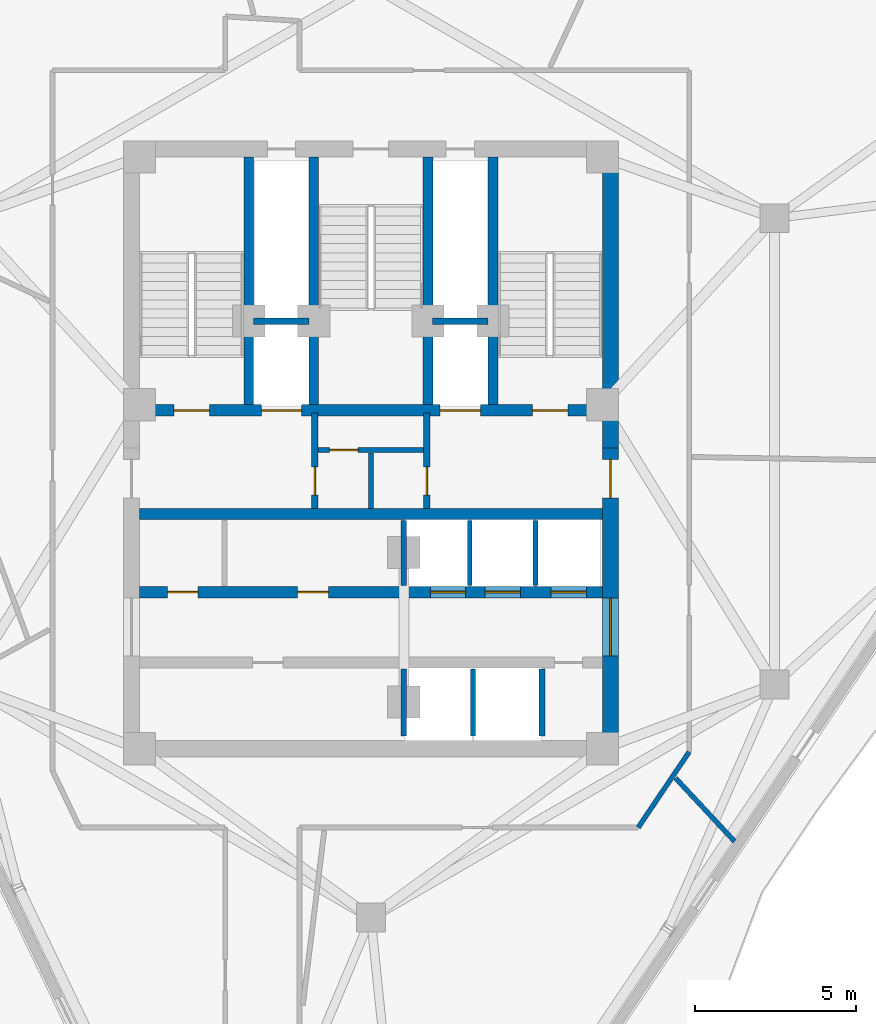
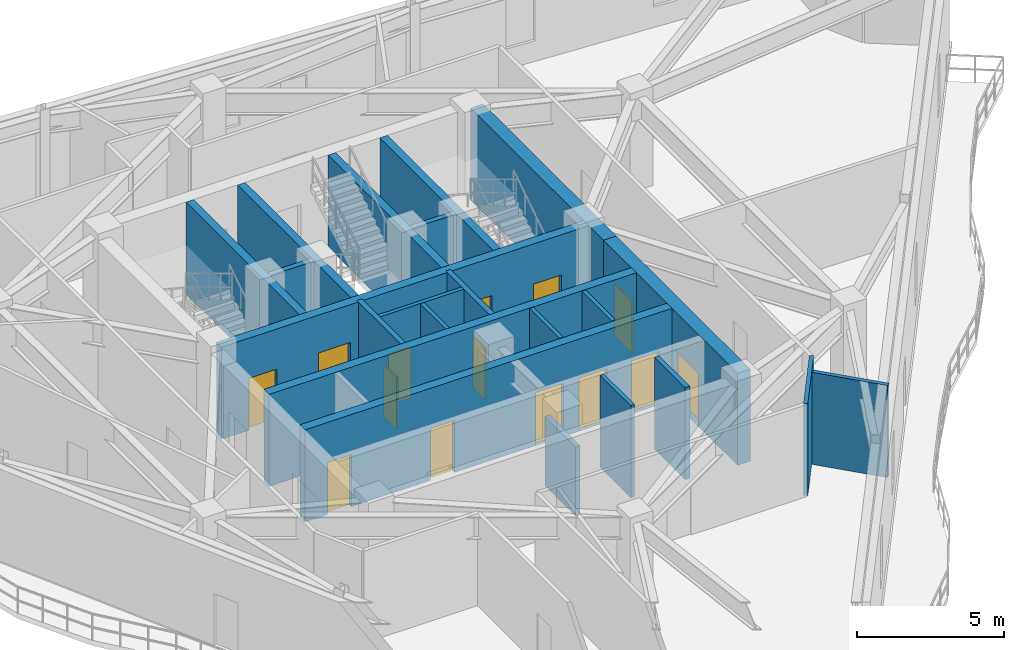
# One storey, part 6 of 11: 23 walls, 14 doors, 14 openings.
"""IFC4 building model written with IfcOpenShell, lengths in metres."""

from ifc_helpers import new_model, si_unit, direction, frame, frame_2d, origin, place, context, subcontext, project, spatial, rectangle, extrude, material, layer, layer_set, type_object, element, fill, save


model = new_model("IFC4")

# Units and contexts
model_context = context("Model", 3, precision=1e-05, world=origin(), true_north=direction((0.0, 1.0)))
body_context = subcontext(model_context, "Body", "Model", "MODEL_VIEW")
ifc_project = project(units=[si_unit("LENGTHUNIT", "METRE"), si_unit("AREAUNIT", "SQUARE_METRE"), si_unit("VOLUMEUNIT", "CUBIC_METRE"), si_unit("PLANEANGLEUNIT", "RADIAN"), si_unit("MASSUNIT", "GRAM", prefix="KILO")], contexts=[model_context])

# Site, building, storey
site_placement = place(None, origin())
site = spatial("IfcSite", under=ifc_project, at=site_placement, CompositionType="ELEMENT")
building_placement = place(site_placement, origin())
building = spatial("IfcBuilding", under=site, at=building_placement, Name="Apsidion Concourse Tower", CompositionType="ELEMENT")
storey_placement = place(building_placement, frame((0.0, 0.0, 314.699951171875)))
storey = spatial("IfcBuildingStorey", under=building, at=storey_placement, Name="L74", CompositionType="ELEMENT", Elevation=314.699951171875)

# Walls
ifc_material_1 = material(Name="Gypsum plasterboard partition")
ifc_layer_1 = layer(ifc_material_1, 0.14990234375)
ifc_layer_set_1 = layer_set([ifc_layer_1], Name="Gypsum plasterboard partition")
wall_type_1 = type_object("IfcWallType", Name="WL-INT-PAR-150", PredefinedType="PARTITIONING", material=ifc_layer_set_1)
for number, where, z_axis, x_axis, name in (
    (1, (3.074951171875, -4.179931640625, 0.0), (0.0, 0.0, 1.0), (0.0, 1.0, 0.0), "L74 Interior Partition WL-L74-B3DIV-1"),
    (2, (5.125, -4.179931640625, 0.0), (0.0, 0.0, 1.0), (0.0, 1.0, 0.0), "L74 Interior Partition WL-L74-B3DIV-2"),
):
    element("IfcWall", number, at=place(storey_placement, frame(where, z_axis=z_axis, x_axis=x_axis)), inside=storey, type_object=wall_type_1, Name=name, PredefinedType="PARTITIONING", context=body_context, shape_type="SweptSolid", body=[
        extrude(rectangle(XDim=2.030029296875, YDim=0.14990234375, at=frame_2d((1.01513671875, 0.0))), origin(), (0.0, 0.0, 1.0), 3.820068359375),
    ])
wall_1_placement = place(storey_placement, frame((3.175048828125, -8.85009765625, 0.0), z_axis=(0.0, 0.0, 1.0), x_axis=(0.0, 1.0, 0.0)))
element("IfcWall", 3, at=wall_1_placement, inside=storey, type_object=wall_type_1, Name="L74 Interior Partition WL-L74-SHDIV-1", PredefinedType="PARTITIONING", context=body_context, shape_type="SweptSolid", body=[
    extrude(rectangle(XDim=2.080078125, YDim=0.14990234375, at=frame_2d((1.0400390625, 0.0))), origin(), (0.0, 0.0, 1.0), 3.820068359375),
])

# Wall, opening, door
wall_2_placement = place(storey_placement, frame((-1.639892578125, 0.0400390625, 0.0), z_axis=(0.0, 0.0, 1.0), x_axis=(1.0, 0.0, 0.0)))
wall_2 = element("IfcWall", 4, at=wall_2_placement, inside=storey, type_object=wall_type_1, Name="L74 Interior Partition WL-L74-K4H", PredefinedType="PARTITIONING", context=body_context, shape_type="SweptSolid", body=[
    extrude(rectangle(XDim=3.27978515625, YDim=0.14990234375, at=frame_2d((1.639892578125, 0.0))), origin(), (0.0, 0.0, 1.0), 3.820068359375),
])
opening_1_placement = place(wall_2_placement, frame((0.360107421875, 0.0, 0.0)))
opening_1 = element("IfcOpeningElement", 5, at=opening_1_placement, cuts=wall_2, Name="Opening D-03L", PredefinedType="OPENING", context=body_context, shape_type="SweptSolid", body=[
    extrude(rectangle(XDim=0.8798828125, YDim=2.10009765625, at=frame_2d((0.43994140625, 1.050048828125))), frame((0.0, 0.0849609375, 0.0), z_axis=(0.0, -1.0, 0.0), x_axis=(1.0, 0.0, 0.0)), (0.0, 0.0, 1.0), 0.169921875),
])
ifc_material_2 = material(Name="Anodised aluminium EN AW-6063 T6", Category="aluminium")
door_type_1 = type_object("IfcDoorType", Name="DR-INT-D03L", OperationType="SINGLE_SWING_LEFT", PredefinedType="DOOR", material=ifc_material_2)
door_1_placement = place(opening_1_placement, origin())
door_1 = element("IfcDoor", 6, at=door_1_placement, inside=storey, type_object=door_type_1, Name="L74 Core Telecoms Door", OperationType="SINGLE_SWING_LEFT", OverallHeight=2.10009765625, OverallWidth=0.8798828125, PredefinedType="DOOR", context=body_context, shape_type="SweptSolid", body=[
    extrude(rectangle(XDim=0.8798828125, YDim=2.10009765625, at=frame_2d((0.43994140625, 1.050048828125))), frame((0.0, 0.02490234375, 0.0), z_axis=(0.0, -1.0, 0.0), x_axis=(1.0, 0.0, 0.0)), (0.0, 0.0, 1.0), 0.050048828125),
])
fill(opening_1, door_1)

# Walls
wall_3_placement = place(storey_placement, frame((0.0, -1.780029296875, 0.0), z_axis=(0.0, 0.0, 1.0), x_axis=(0.0, 1.0, 0.0)))
element("IfcWall", 7, at=wall_3_placement, inside=storey, type_object=wall_type_1, Name="L74 Interior Partition WL-L74-K4V", PredefinedType="PARTITIONING", context=body_context, shape_type="SweptSolid", body=[
    extrude(rectangle(XDim=1.72998046875, YDim=0.14990234375, at=frame_2d((0.864990234375, 0.0))), origin(), (0.0, 0.0, 1.0), 3.820068359375),
])
wall_4_placement = place(storey_placement, frame((9.89990234375, -9.348388671875, 0.0), z_axis=(0.0, 0.0, 1.0), x_axis=(-0.559200828408, -0.829032227062, 0.0)))
element("IfcWall", 8, at=wall_4_placement, inside=storey, type_object=wall_type_1, Name="L74 Interior Partition WL-L74-CORR-10", PredefinedType="PARTITIONING", context=body_context, shape_type="SweptSolid", body=[
    extrude(rectangle(XDim=2.83642578125, YDim=0.14990234375, at=frame_2d((1.418212890625, 0.0))), origin(), (0.0, 0.0, 1.0), 3.820068359375),
])
wall_5_placement = place(storey_placement, frame((9.477294921875, -10.1630859375, 0.0), z_axis=(0.0, 0.0, 1.0), x_axis=(0.682023235441, -0.731330504163, 0.0)))
element("IfcWall", 9, at=wall_5_placement, inside=storey, type_object=wall_type_1, Name="L74 Interior Partition WL-L74-RAD-06-1", PredefinedType="PARTITIONING", context=body_context, shape_type="SweptSolid", body=[
    extrude(rectangle(XDim=2.68359375, YDim=0.14990234375, at=frame_2d((1.341796875, 0.0))), origin(), (0.0, 0.0, 1.0), 3.820068359375),
])
ifc_layer_2 = layer(ifc_material_1, 0.179931640625)
ifc_layer_set_2 = layer_set([ifc_layer_2], Name="Gypsum plasterboard partition")
wall_type_2 = type_object("IfcWallType", Name="WL-INT-PAR-180", PredefinedType="PARTITIONING", material=ifc_layer_set_2)
wall_6_placement = place(storey_placement, frame((1.02490234375, -4.179931640625, 0.0), z_axis=(0.0, 0.0, 1.0), x_axis=(0.0, 1.0, 0.0)))
element("IfcWall", 10, at=wall_6_placement, inside=storey, type_object=wall_type_2, Name="L74 Interior Partition WL-L74-B1END", PredefinedType="PARTITIONING", context=body_context, shape_type="SweptSolid", body=[
    extrude(rectangle(XDim=2.030029296875, YDim=0.179931640625, at=frame_2d((1.01513671875, 0.0))), origin(), (0.0, 0.0, 1.0), 2.8681640625),
])
wall_7_placement = place(storey_placement, frame((1.02490234375, -8.85009765625, 0.0), z_axis=(0.0, 0.0, 1.0), x_axis=(0.0, 1.0, 0.0)))
element("IfcWall", 11, at=wall_7_placement, inside=storey, type_object=wall_type_2, Name="L74 Interior Partition WL-L74-B2END", PredefinedType="PARTITIONING", context=body_context, shape_type="SweptSolid", body=[
    extrude(rectangle(XDim=2.080078125, YDim=0.179931640625, at=frame_2d((1.0400390625, 0.0))), origin(), (0.0, 0.0, 1.0), 2.8681640625),
])
wall_8_placement = place(storey_placement, frame((5.324951171875, -8.85009765625, 0.0), z_axis=(0.0, 0.0, 1.0), x_axis=(0.0, 1.0, 0.0)))
element("IfcWall", 12, at=wall_8_placement, inside=storey, type_object=wall_type_2, Name="L74 Interior Partition WL-L74-SHDIV-2", PredefinedType="PARTITIONING", context=body_context, shape_type="SweptSolid", body=[
    extrude(rectangle(XDim=2.080078125, YDim=0.179931640625, at=frame_2d((1.0400390625, 0.0))), origin(), (0.0, 0.0, 1.0), 3.820068359375),
])
ifc_layer_3 = layer(ifc_material_1, 0.199951171875)
ifc_layer_set_3 = layer_set([ifc_layer_3], Name="Gypsum plasterboard partition")
wall_type_3 = type_object("IfcWallType", Name="WL-INT-PAR-200", PredefinedType="PARTITIONING", material=ifc_layer_set_3)
for number, where, z_axis, x_axis, name in (
    (13, (-3.64990234375, 4.050048828125, 0.0), (0.0, 0.0, 1.0), (1.0, 0.0, 0.0), "L74 Interior Partition WL-L74-FF1-N"),
    (14, (1.919921875, 4.050048828125, 0.0), (0.0, 0.0, 1.0), (1.0, 0.0, 0.0), "L74 Interior Partition WL-L74-FF2-N"),
):
    element("IfcWall", number, at=place(storey_placement, frame(where, z_axis=z_axis, x_axis=x_axis)), inside=storey, type_object=wall_type_3, Name=name, PredefinedType="PARTITIONING", context=body_context, shape_type="SweptSolid", body=[
        extrude(rectangle(XDim=1.72998046875, YDim=0.199951171875, at=frame_2d((0.864990234375, 0.0))), origin(), (0.0, 0.0, 1.0), 3.820068359375),
    ])

# Wall, opening, door
wall_9_placement = place(storey_placement, frame((-1.739990234375, -1.780029296875, 0.0), z_axis=(0.0, 0.0, 1.0), x_axis=(0.0, 1.0, 0.0)))
wall_9 = element("IfcWall", 15, at=wall_9_placement, inside=storey, type_object=wall_type_3, Name="L74 Interior Partition WL-L74-FF1-E", PredefinedType="PARTITIONING", context=body_context, shape_type="SweptSolid", body=[
    extrude(rectangle(XDim=2.97998046875, YDim=0.199951171875, at=frame_2d((1.489990234375, 0.0))), origin(), (0.0, 0.0, 1.0), 3.820068359375),
])
opening_2_placement = place(wall_9_placement, frame((0.419921875, 0.0, 0.0)))
opening_2 = element("IfcOpeningElement", 16, at=opening_2_placement, cuts=wall_9, Name="Opening D-05R", PredefinedType="OPENING", context=body_context, shape_type="SweptSolid", body=[
    extrude(rectangle(XDim=0.8798828125, YDim=2.14990234375, at=frame_2d((0.43994140625, 1.074951171875))), frame((0.0, 0.10986328125, 0.0), z_axis=(0.0, -1.0, 0.0), x_axis=(1.0, 0.0, 0.0)), (0.0, 0.0, 1.0), 0.219970703125),
])
ifc_material_3 = material(Name="Brushed stainless steel 316", Category="steel")
door_type_2 = type_object("IfcDoorType", Name="DR-INT-D05R", OperationType="SINGLE_SWING_RIGHT", PredefinedType="DOOR", material=ifc_material_3)
door_2_placement = place(opening_2_placement, origin())
door_2 = element("IfcDoor", 17, at=door_2_placement, inside=storey, type_object=door_type_2, Name="L74 Core Switch Room Door", OperationType="SINGLE_SWING_RIGHT", OverallHeight=2.14990234375, OverallWidth=0.8798828125, PredefinedType="DOOR", context=body_context, shape_type="SweptSolid", body=[
    extrude(rectangle(XDim=0.8798828125, YDim=2.14990234375, at=frame_2d((0.43994140625, 1.074951171875))), frame((0.0, 0.02490234375, 0.0), z_axis=(0.0, -1.0, 0.0), x_axis=(1.0, 0.0, 0.0)), (0.0, 0.0, 1.0), 0.050048828125),
])
fill(opening_2, door_2)

wall_10_placement = place(storey_placement, frame((1.739990234375, -1.780029296875, 0.0), z_axis=(0.0, 0.0, 1.0), x_axis=(0.0, 1.0, 0.0)))
wall_10 = element("IfcWall", 18, at=wall_10_placement, inside=storey, type_object=wall_type_3, Name="L74 Interior Partition WL-L74-FF2-W", PredefinedType="PARTITIONING", context=body_context, shape_type="SweptSolid", body=[
    extrude(rectangle(XDim=2.97998046875, YDim=0.199951171875, at=frame_2d((1.489990234375, 0.0))), origin(), (0.0, 0.0, 1.0), 3.820068359375),
])
opening_3_placement = place(wall_10_placement, frame((0.419921875, 0.0, 0.0)))
opening_3 = element("IfcOpeningElement", 19, at=opening_3_placement, cuts=wall_10, Name="Opening D-05L", PredefinedType="OPENING", context=body_context, shape_type="SweptSolid", body=[
    extrude(rectangle(XDim=0.8798828125, YDim=2.14990234375, at=frame_2d((0.43994140625, 1.074951171875))), frame((0.0, 0.10986328125, 0.0), z_axis=(0.0, -1.0, 0.0), x_axis=(1.0, 0.0, 0.0)), (0.0, 0.0, 1.0), 0.219970703125),
])
door_type_3 = type_object("IfcDoorType", Name="DR-INT-D05L", OperationType="SINGLE_SWING_LEFT", PredefinedType="DOOR", material=ifc_material_3)
door_3_placement = place(opening_3_placement, origin())
door_3 = element("IfcDoor", 20, at=door_3_placement, inside=storey, type_object=door_type_3, Name="L74 Core First Aid Door", OperationType="SINGLE_SWING_LEFT", OverallHeight=2.14990234375, OverallWidth=0.8798828125, PredefinedType="DOOR", context=body_context, shape_type="SweptSolid", body=[
    extrude(rectangle(XDim=0.8798828125, YDim=2.14990234375, at=frame_2d((0.43994140625, 1.074951171875))), frame((0.0, 0.02490234375, 0.0), z_axis=(0.0, -1.0, 0.0), x_axis=(1.0, 0.0, 0.0)), (0.0, 0.0, 1.0), 0.050048828125),
])
fill(opening_3, door_3)

# Walls
ifc_material_4 = material(Name="Concrete C50/60", Category="concrete")
ifc_layer_4 = layer(ifc_material_4, 0.300048828125)
ifc_layer_set_4 = layer_set([ifc_layer_4], Name="Concrete C50/60")
wall_type_4 = type_object("IfcWallType", Name="WL-SH-300", PredefinedType="SHEAR", material=ifc_layer_set_4)
for number, where, z_axis, x_axis, name in (
    (21, (-3.800048828125, 1.449951171875, 0.0), (0.0, 0.0, 1.0), (0.0, 1.0, 0.0), "L74 Central Core Shear Wall V1"),
    (22, (-1.77490234375, 1.449951171875, 0.0), (0.0, 0.0, 1.0), (0.0, 1.0, 0.0), "L74 Central Core Shear Wall V2"),
    (23, (1.77490234375, 1.449951171875, 0.0), (0.0, 0.0, 1.0), (0.0, 1.0, 0.0), "L74 Central Core Shear Wall V3"),
    (24, (3.800048828125, 1.449951171875, 0.0), (0.0, 0.0, 1.0), (0.0, 1.0, 0.0), "L74 Central Core Shear Wall V4"),
):
    element("IfcWall", number, at=place(storey_placement, frame(where, z_axis=z_axis, x_axis=x_axis)), inside=storey, type_object=wall_type_4, Name=name, PredefinedType="SHEAR", context=body_context, shape_type="SweptSolid", body=[
        extrude(rectangle(XDim=7.699951171875, YDim=0.300048828125, at=frame_2d((3.85009765625, 0.0))), origin(), (0.0, 0.0, 1.0), 3.820068359375),
    ])

# Wall, openings, doors
ifc_layer_5 = layer(ifc_material_4, 0.35009765625)
ifc_layer_set_5 = layer_set([ifc_layer_5], Name="Concrete C50/60")
wall_type_5 = type_object("IfcWallType", Name="WL-SH-350", PredefinedType="SHEAR", material=ifc_layer_set_5)
wall_11_placement = place(storey_placement, frame((-7.199951171875, 1.27490234375, 0.0), z_axis=(0.0, 0.0, 1.0), x_axis=(1.0, 0.0, 0.0)))
wall_11 = element("IfcWall", 25, at=wall_11_placement, inside=storey, type_object=wall_type_5, Name="L74 Central Core Shear Wall M1", PredefinedType="SHEAR", context=body_context, shape_type="SweptSolid", body=[
    extrude(rectangle(XDim=14.39990234375, YDim=0.35009765625, at=frame_2d((7.199951171875, 0.0))), origin(), (0.0, 0.0, 1.0), 3.820068359375),
])
opening_4_placement = place(wall_11_placement, frame((3.794921875, 0.0, 0.0)))
opening_4 = element("IfcOpeningElement", 26, at=opening_4_placement, cuts=wall_11, Name="Opening LD-FF", PredefinedType="OPENING", context=body_context, shape_type="SweptSolid", body=[
    extrude(rectangle(XDim=1.25, YDim=2.25, at=frame_2d((0.625, 1.125))), frame((0.0, 0.18505859375, 0.0), z_axis=(0.0, -1.0, 0.0), x_axis=(1.0, 0.0, 0.0)), (0.0, 0.0, 1.0), 0.3701171875),
])
opening_5_placement = place(wall_11_placement, frame((9.35498046875, 0.0, 0.0)))
opening_5 = element("IfcOpeningElement", 27, at=opening_5_placement, cuts=wall_11, Name="Opening LD-FF", PredefinedType="OPENING", context=body_context, shape_type="SweptSolid", body=[
    extrude(rectangle(XDim=1.25, YDim=2.25, at=frame_2d((0.625, 1.125))), frame((0.0, 0.18505859375, 0.0), z_axis=(0.0, -1.0, 0.0), x_axis=(1.0, 0.0, 0.0)), (0.0, 0.0, 1.0), 0.3701171875),
])
opening_6_placement = place(wall_11_placement, frame((1.074951171875, 0.0, 0.0)))
opening_6 = element("IfcOpeningElement", 28, at=opening_6_placement, cuts=wall_11, Name="Opening D-STL", PredefinedType="OPENING", context=body_context, shape_type="SweptSolid", body=[
    extrude(rectangle(XDim=1.10009765625, YDim=2.14990234375, at=frame_2d((0.550048828125, 1.074951171875))), frame((0.0, 0.18505859375, 0.0), z_axis=(0.0, -1.0, 0.0), x_axis=(1.0, 0.0, 0.0)), (0.0, 0.0, 1.0), 0.3701171875),
])
opening_7_placement = place(wall_11_placement, frame((12.22509765625, 0.0, 0.0)))
opening_7 = element("IfcOpeningElement", 29, at=opening_7_placement, cuts=wall_11, Name="Opening D-STR", PredefinedType="OPENING", context=body_context, shape_type="SweptSolid", body=[
    extrude(rectangle(XDim=1.10009765625, YDim=2.14990234375, at=frame_2d((0.550048828125, 1.074951171875))), frame((0.0, 0.18505859375, 0.0), z_axis=(0.0, -1.0, 0.0), x_axis=(1.0, 0.0, 0.0)), (0.0, 0.0, 1.0), 0.3701171875),
])
door_type_4 = type_object("IfcDoorType", Name="DR-INT-ST1L", OperationType="SINGLE_SWING_LEFT", PredefinedType="DOOR", material=ifc_material_3)
door_4_placement = place(opening_6_placement, origin())
door_4 = element("IfcDoor", 30, at=door_4_placement, inside=storey, type_object=door_type_4, Name="L74 Core Exit Stair ST1 Door", OperationType="SINGLE_SWING_LEFT", OverallHeight=2.14990234375, OverallWidth=1.10009765625, PredefinedType="DOOR", context=body_context, shape_type="SweptSolid", body=[
    extrude(rectangle(XDim=1.10009765625, YDim=2.14990234375, at=frame_2d((0.550048828125, 1.074951171875))), frame((0.0, 0.02490234375, 0.0), z_axis=(0.0, -1.0, 0.0), x_axis=(1.0, 0.0, 0.0)), (0.0, 0.0, 1.0), 0.050048828125),
])
fill(opening_6, door_4)
door_type_5 = type_object("IfcDoorType", Name="DR-INT-ST1R", OperationType="SINGLE_SWING_RIGHT", PredefinedType="DOOR", material=ifc_material_3)
door_5_placement = place(opening_7_placement, origin())
door_5 = element("IfcDoor", 31, at=door_5_placement, inside=storey, type_object=door_type_5, Name="L74 Core Exit Stair ST2 Door", OperationType="SINGLE_SWING_RIGHT", OverallHeight=2.14990234375, OverallWidth=1.10009765625, PredefinedType="DOOR", context=body_context, shape_type="SweptSolid", body=[
    extrude(rectangle(XDim=1.10009765625, YDim=2.14990234375, at=frame_2d((0.550048828125, 1.074951171875))), frame((0.0, 0.02490234375, 0.0), z_axis=(0.0, -1.0, 0.0), x_axis=(1.0, 0.0, 0.0)), (0.0, 0.0, 1.0), 0.050048828125),
])
fill(opening_7, door_5)
door_type_6 = type_object("IfcDoorType", Name="DR-LD-FSAE", OperationType="DOUBLE_DOOR_SLIDING", PredefinedType="DOOR", material=ifc_material_3)
door_6_placement = place(opening_4_placement, origin())
door_6 = element("IfcDoor", 32, at=door_6_placement, inside=storey, type_object=door_type_6, Name="L74 Lift Landing Door FF1", OperationType="DOUBLE_DOOR_SLIDING", OverallHeight=2.25, OverallWidth=1.25, PredefinedType="DOOR", context=body_context, shape_type="SweptSolid", body=[
    extrude(rectangle(XDim=1.25, YDim=2.25, at=frame_2d((0.625, 1.125))), frame((0.0, 0.02490234375, 0.0), z_axis=(0.0, -1.0, 0.0), x_axis=(1.0, 0.0, 0.0)), (0.0, 0.0, 1.0), 0.050048828125),
])
fill(opening_4, door_6)
door_7_placement = place(opening_5_placement, origin())
door_7 = element("IfcDoor", 33, at=door_7_placement, inside=storey, type_object=door_type_6, Name="L74 Lift Landing Door FF2", OperationType="DOUBLE_DOOR_SLIDING", OverallHeight=2.25, OverallWidth=1.25, PredefinedType="DOOR", context=body_context, shape_type="SweptSolid", body=[
    extrude(rectangle(XDim=1.25, YDim=2.25, at=frame_2d((0.625, 1.125))), frame((0.0, 0.02490234375, 0.0), z_axis=(0.0, -1.0, 0.0), x_axis=(1.0, 0.0, 0.0)), (0.0, 0.0, 1.0), 0.050048828125),
])
fill(opening_5, door_7)

# Wall
wall_12_placement = place(storey_placement, frame((-7.199951171875, -1.949951171875, 0.0), z_axis=(0.0, 0.0, 1.0), x_axis=(1.0, 0.0, 0.0)))
element("IfcWall", 34, at=wall_12_placement, inside=storey, type_object=wall_type_5, Name="L74 Central Core Shear Wall M2", PredefinedType="SHEAR", context=body_context, shape_type="SweptSolid", body=[
    extrude(rectangle(XDim=14.39990234375, YDim=0.35009765625, at=frame_2d((7.199951171875, 0.0))), origin(), (0.0, 0.0, 1.0), 3.820068359375),
])

# Wall, openings, doors
wall_13_placement = place(storey_placement, frame((-7.199951171875, -4.3798828125, 0.0), z_axis=(0.0, 0.0, 1.0), x_axis=(1.0, 0.0, 0.0)))
wall_13 = element("IfcWall", 35, at=wall_13_placement, inside=storey, type_object=wall_type_5, Name="L74 Central Core Shear Wall LA", PredefinedType="SHEAR", context=body_context, shape_type="SweptSolid", body=[
    extrude(rectangle(XDim=14.39990234375, YDim=0.35009765625, at=frame_2d((7.199951171875, 0.0))), origin(), (0.0, 0.0, 1.0), 3.820068359375),
])
opening_8_placement = place(wall_13_placement, frame((9.050048828125, 0.0, 0.0)))
opening_8 = element("IfcOpeningElement", 36, at=opening_8_placement, cuts=wall_13, Name="Opening LD-P1", PredefinedType="OPENING", context=body_context, shape_type="SweptSolid", body=[
    extrude(rectangle(XDim=1.10009765625, YDim=2.199951171875, at=frame_2d((0.550048828125, 1.10009765625))), frame((0.0, 0.18505859375, 0.0), z_axis=(0.0, -1.0, 0.0), x_axis=(1.0, 0.0, 0.0)), (0.0, 0.0, 1.0), 0.3701171875),
])
opening_9_placement = place(wall_13_placement, frame((10.75, 0.0, 0.0)))
opening_9 = element("IfcOpeningElement", 37, at=opening_9_placement, cuts=wall_13, Name="Opening LD-P1", PredefinedType="OPENING", context=body_context, shape_type="SweptSolid", body=[
    extrude(rectangle(XDim=1.10009765625, YDim=2.199951171875, at=frame_2d((0.550048828125, 1.10009765625))), frame((0.0, 0.18505859375, 0.0), z_axis=(0.0, -1.0, 0.0), x_axis=(1.0, 0.0, 0.0)), (0.0, 0.0, 1.0), 0.3701171875),
])
opening_10_placement = place(wall_13_placement, frame((12.800048828125, 0.0, 0.0)))
opening_10 = element("IfcOpeningElement", 38, at=opening_10_placement, cuts=wall_13, Name="Opening LD-P1", PredefinedType="OPENING", context=body_context, shape_type="SweptSolid", body=[
    extrude(rectangle(XDim=1.10009765625, YDim=2.199951171875, at=frame_2d((0.550048828125, 1.10009765625))), frame((0.0, 0.18505859375, 0.0), z_axis=(0.0, -1.0, 0.0), x_axis=(1.0, 0.0, 0.0)), (0.0, 0.0, 1.0), 0.3701171875),
])
opening_11_placement = place(wall_13_placement, frame((0.875, 0.0, 0.0)))
opening_11 = element("IfcOpeningElement", 39, at=opening_11_placement, cuts=wall_13, Name="Opening D-04L", PredefinedType="OPENING", context=body_context, shape_type="SweptSolid", body=[
    extrude(rectangle(XDim=0.949951171875, YDim=2.14990234375, at=frame_2d((0.47509765625, 1.074951171875))), frame((0.0, 0.18505859375, 0.0), z_axis=(0.0, -1.0, 0.0), x_axis=(1.0, 0.0, 0.0)), (0.0, 0.0, 1.0), 0.3701171875),
])
opening_12_placement = place(wall_13_placement, frame((4.925048828125, 0.0, 0.0)))
opening_12 = element("IfcOpeningElement", 40, at=opening_12_placement, cuts=wall_13, Name="Opening D-04R", PredefinedType="OPENING", context=body_context, shape_type="SweptSolid", body=[
    extrude(rectangle(XDim=0.949951171875, YDim=2.14990234375, at=frame_2d((0.47509765625, 1.074951171875))), frame((0.0, 0.18505859375, 0.0), z_axis=(0.0, -1.0, 0.0), x_axis=(1.0, 0.0, 0.0)), (0.0, 0.0, 1.0), 0.3701171875),
])
door_type_7 = type_object("IfcDoorType", Name="DR-INT-D04L", OperationType="SINGLE_SWING_LEFT", PredefinedType="DOOR", material=ifc_material_3)
door_8_placement = place(opening_11_placement, origin())
door_8 = element("IfcDoor", 41, at=door_8_placement, inside=storey, type_object=door_type_7, Name="L74 Core Supply Store Door", OperationType="SINGLE_SWING_LEFT", OverallHeight=2.14990234375, OverallWidth=0.949951171875, PredefinedType="DOOR", context=body_context, shape_type="SweptSolid", body=[
    extrude(rectangle(XDim=0.949951171875, YDim=2.14990234375, at=frame_2d((0.47509765625, 1.074951171875))), frame((0.0, 0.02490234375, 0.0), z_axis=(0.0, -1.0, 0.0), x_axis=(1.0, 0.0, 0.0)), (0.0, 0.0, 1.0), 0.050048828125),
])
fill(opening_11, door_8)
door_type_8 = type_object("IfcDoorType", Name="DR-INT-D04R", OperationType="SINGLE_SWING_RIGHT", PredefinedType="DOOR", material=ifc_material_3)
door_9_placement = place(opening_12_placement, origin())
door_9 = element("IfcDoor", 42, at=door_9_placement, inside=storey, type_object=door_type_8, Name="L74 Core Data and Print Room Door", OperationType="SINGLE_SWING_RIGHT", OverallHeight=2.14990234375, OverallWidth=0.949951171875, PredefinedType="DOOR", context=body_context, shape_type="SweptSolid", body=[
    extrude(rectangle(XDim=0.949951171875, YDim=2.14990234375, at=frame_2d((0.47509765625, 1.074951171875))), frame((0.0, 0.02490234375, 0.0), z_axis=(0.0, -1.0, 0.0), x_axis=(1.0, 0.0, 0.0)), (0.0, 0.0, 1.0), 0.050048828125),
])
fill(opening_12, door_9)
door_type_9 = type_object("IfcDoorType", Name="DR-LD-PASS", OperationType="DOUBLE_DOOR_SLIDING", PredefinedType="DOOR", material=ifc_material_3)
door_10_placement = place(opening_8_placement, origin())
door_10 = element("IfcDoor", 43, at=door_10_placement, inside=storey, type_object=door_type_9, Name="L74 Lift Landing Door P9", OperationType="DOUBLE_DOOR_SLIDING", OverallHeight=2.199951171875, OverallWidth=1.10009765625, PredefinedType="DOOR", context=body_context, shape_type="SweptSolid", body=[
    extrude(rectangle(XDim=1.10009765625, YDim=2.199951171875, at=frame_2d((0.550048828125, 1.10009765625))), frame((0.0, 0.02490234375, 0.0), z_axis=(0.0, -1.0, 0.0), x_axis=(1.0, 0.0, 0.0)), (0.0, 0.0, 1.0), 0.050048828125),
])
fill(opening_8, door_10)
door_11_placement = place(opening_9_placement, origin())
door_11 = element("IfcDoor", 44, at=door_11_placement, inside=storey, type_object=door_type_9, Name="L74 Lift Landing Door P10", OperationType="DOUBLE_DOOR_SLIDING", OverallHeight=2.199951171875, OverallWidth=1.10009765625, PredefinedType="DOOR", context=body_context, shape_type="SweptSolid", body=[
    extrude(rectangle(XDim=1.10009765625, YDim=2.199951171875, at=frame_2d((0.550048828125, 1.10009765625))), frame((0.0, 0.02490234375, 0.0), z_axis=(0.0, -1.0, 0.0), x_axis=(1.0, 0.0, 0.0)), (0.0, 0.0, 1.0), 0.050048828125),
])
fill(opening_9, door_11)
door_12_placement = place(opening_10_placement, origin())
door_12 = element("IfcDoor", 45, at=door_12_placement, inside=storey, type_object=door_type_9, Name="L74 Lift Landing Door P11", OperationType="DOUBLE_DOOR_SLIDING", OverallHeight=2.199951171875, OverallWidth=1.10009765625, PredefinedType="DOOR", context=body_context, shape_type="SweptSolid", body=[
    extrude(rectangle(XDim=1.10009765625, YDim=2.199951171875, at=frame_2d((0.550048828125, 1.10009765625))), frame((0.0, 0.02490234375, 0.0), z_axis=(0.0, -1.0, 0.0), x_axis=(1.0, 0.0, 0.0)), (0.0, 0.0, 1.0), 0.050048828125),
])
fill(opening_10, door_12)

# Wall
ifc_layer_6 = layer(ifc_material_4, 0.5)
ifc_layer_set_6 = layer_set([ifc_layer_6], Name="Concrete C50/60")
wall_type_6 = type_object("IfcWallType", Name="WL-SH-500", PredefinedType="SHEAR", material=ifc_layer_set_6)
wall_14_placement = place(storey_placement, frame((7.449951171875, 0.10009765625, 0.0), z_axis=(0.0, 0.0, 1.0), x_axis=(0.0, 1.0, 0.0)))
element("IfcWall", 46, at=wall_14_placement, inside=storey, type_object=wall_type_6, Name="L74 Central Core Shear Wall EN", PredefinedType="SHEAR", context=body_context, shape_type="SweptSolid", body=[
    extrude(rectangle(XDim=9.0498046875, YDim=0.5, at=frame_2d((4.52490234375, 0.0))), origin(), (0.0, 0.0, 1.0), 3.820068359375),
])

# Wall, openings, doors
wall_15_placement = place(storey_placement, frame((7.449951171875, -9.0, 0.0), z_axis=(0.0, 0.0, 1.0), x_axis=(0.0, 1.0, 0.0)))
wall_15 = element("IfcWall", 47, at=wall_15_placement, inside=storey, type_object=wall_type_6, Name="L74 Central Core Shear Wall ES", PredefinedType="SHEAR", context=body_context, shape_type="SweptSolid", body=[
    extrude(rectangle(XDim=9.10009765625, YDim=0.5, at=frame_2d((4.550048828125, 0.0))), origin(), (0.0, 0.0, 1.0), 3.820068359375),
])
opening_13_placement = place(wall_15_placement, frame((2.639892578125, 0.0, 0.0)))
opening_13 = element("IfcOpeningElement", 48, at=opening_13_placement, cuts=wall_15, Name="Opening D-06D", PredefinedType="OPENING", context=body_context, shape_type="SweptSolid", body=[
    extrude(rectangle(XDim=1.800048828125, YDim=2.199951171875, at=frame_2d((0.89990234375, 1.10009765625))), frame((0.0, 0.260009765625, 0.0), z_axis=(0.0, -1.0, 0.0), x_axis=(1.0, 0.0, 0.0)), (0.0, 0.0, 1.0), 0.52001953125),
])
opening_14_placement = place(wall_15_placement, frame((7.550048828125, 0.0, 0.0)))
opening_14 = element("IfcOpeningElement", 49, at=opening_14_placement, cuts=wall_15, Name="Opening D-FFR", PredefinedType="OPENING", context=body_context, shape_type="SweptSolid", body=[
    extrude(rectangle(XDim=1.199951171875, YDim=2.14990234375, at=frame_2d((0.60009765625, 1.074951171875))), frame((0.0, 0.260009765625, 0.0), z_axis=(0.0, -1.0, 0.0), x_axis=(1.0, 0.0, 0.0)), (0.0, 0.0, 1.0), 0.52001953125),
])
door_type_10 = type_object("IfcDoorType", Name="DR-INT-D06D", OperationType="DOUBLE_DOOR_SINGLE_SWING", PredefinedType="DOOR", material=ifc_material_3)
door_13_placement = place(opening_13_placement, origin())
door_13 = element("IfcDoor", 50, at=door_13_placement, inside=storey, type_object=door_type_10, Name="L74 Passenger Lift Lobby ES Portal Door", OperationType="DOUBLE_DOOR_SINGLE_SWING", OverallHeight=2.199951171875, OverallWidth=1.800048828125, PredefinedType="DOOR", context=body_context, shape_type="SweptSolid", body=[
    extrude(rectangle(XDim=1.800048828125, YDim=2.199951171875, at=frame_2d((0.89990234375, 1.10009765625))), frame((0.0, 0.02490234375, 0.0), z_axis=(0.0, -1.0, 0.0), x_axis=(1.0, 0.0, 0.0)), (0.0, 0.0, 1.0), 0.050048828125),
])
fill(opening_13, door_13)
door_type_11 = type_object("IfcDoorType", Name="DR-INT-FFR", OperationType="SINGLE_SWING_RIGHT", PredefinedType="DOOR", material=ifc_material_3)
door_14_placement = place(opening_14_placement, origin())
door_14 = element("IfcDoor", 51, at=door_14_placement, inside=storey, type_object=door_type_11, Name="L74 Firefighting Lift Lobby FF2 Door", OperationType="SINGLE_SWING_RIGHT", OverallHeight=2.14990234375, OverallWidth=1.199951171875, PredefinedType="DOOR", context=body_context, shape_type="SweptSolid", body=[
    extrude(rectangle(XDim=1.199951171875, YDim=2.14990234375, at=frame_2d((0.60009765625, 1.074951171875))), frame((0.0, 0.02490234375, 0.0), z_axis=(0.0, -1.0, 0.0), x_axis=(1.0, 0.0, 0.0)), (0.0, 0.0, 1.0), 0.050048828125),
])
fill(opening_14, door_14)

save(model, "model.ifc")
